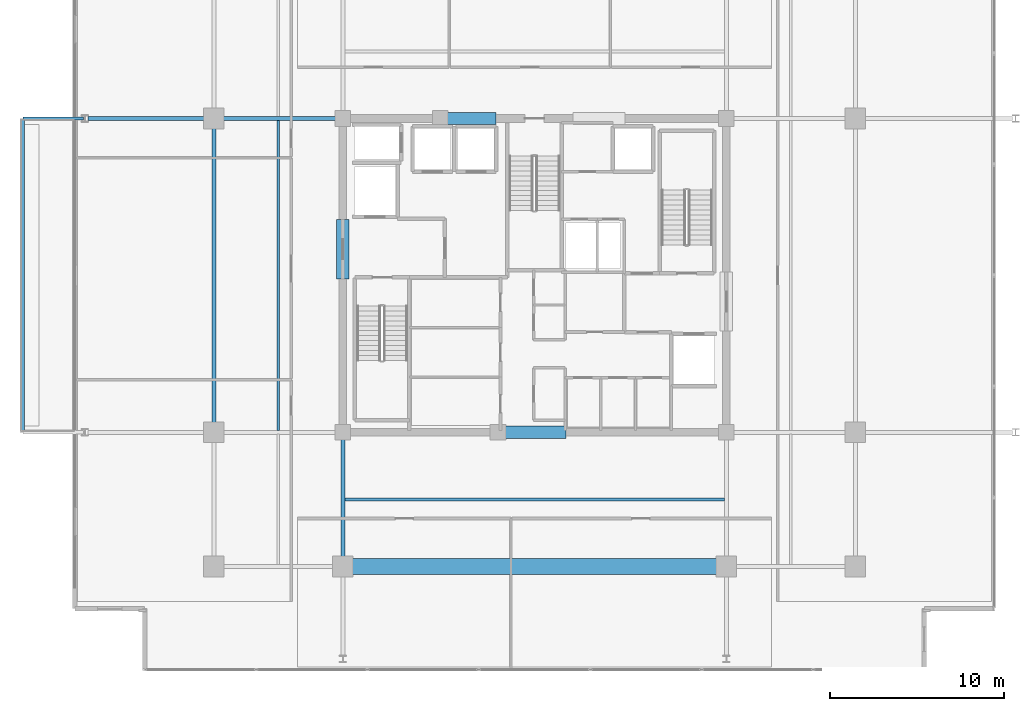
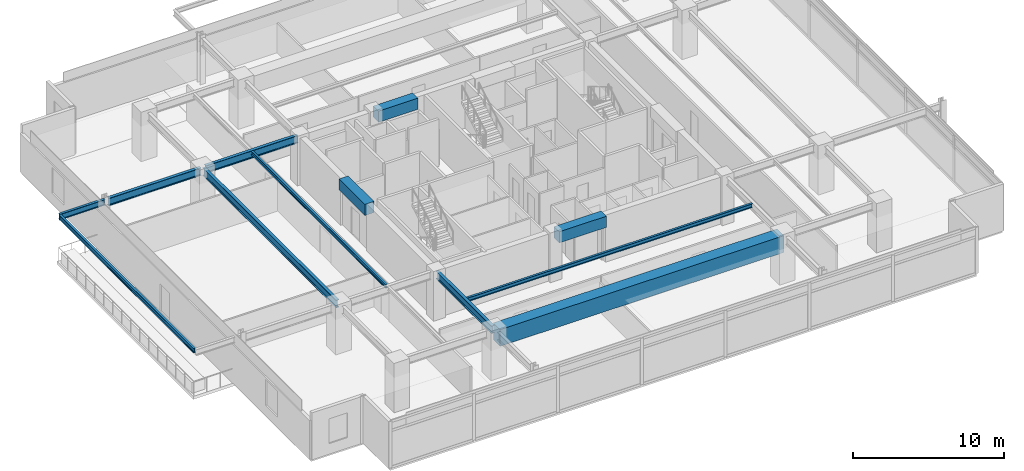
# One storey, part 5 of 21: 12 beams.
"""IFC4 building model written with IfcOpenShell, lengths in metres."""

from ifc_helpers import new_model, si_unit, direction, frame, origin, origin_2d, place, context, subcontext, project, spatial, rectangle, i_section, extrude, material, material_profile, profile_set, type_object, element, save


model = new_model("IFC4")

# Units and contexts
model_context = context("Model", 3, precision=1e-05, world=origin(), true_north=direction((0.0, 1.0)))
body_context = subcontext(model_context, "Body", "Model", "MODEL_VIEW")
ifc_project = project(units=[si_unit("LENGTHUNIT", "METRE"), si_unit("AREAUNIT", "SQUARE_METRE"), si_unit("VOLUMEUNIT", "CUBIC_METRE"), si_unit("PLANEANGLEUNIT", "RADIAN"), si_unit("MASSUNIT", "GRAM", prefix="KILO")], contexts=[model_context])

# Site, building, storey
site_placement = place(None, origin())
site = spatial("IfcSite", under=ifc_project, at=site_placement, CompositionType="ELEMENT")
building_placement = place(site_placement, origin())
building = spatial("IfcBuilding", under=site, at=building_placement, Name="Kovane Verandah Tower", CompositionType="ELEMENT")
storey_placement = place(building_placement, frame((0.0, 0.0, 247.199951171875)))
storey = spatial("IfcBuildingStorey", under=building, at=storey_placement, Name="L57", CompositionType="ELEMENT", Elevation=247.199951171875)

# Beams
ifc_material_1 = material(Name="Concrete C60/75", Category="concrete")
ifc_material_profile_1 = material_profile(ifc_material_1, rectangle(XDim=0.699951171875, YDim=0.89990234375, at=origin_2d()), Name="RCB700x900")
ifc_profile_set_1 = profile_set([ifc_material_profile_1], Name="Concrete C60/75")
beam_type_1 = type_object("IfcBeamType", Name="BM-LINTEL-700x900", PredefinedType="LINTEL", material=ifc_profile_set_1)
beam_1_placement = place(storey_placement, frame((38.199951171875, 18.5, 3.3349609375), z_axis=(1.0, 0.0, 0.0), x_axis=(0.0, 1.0, 0.0)))
element("IfcBeam", 1, at=beam_1_placement, inside=storey, type_object=beam_type_1, Name="L57 Core Coupling Lintel CL-S", PredefinedType="LINTEL", context=body_context, shape_type="SweptSolid", body=[
    extrude(rectangle(XDim=0.699951171875, YDim=0.89990234375, at=origin_2d()), origin(), (0.0, 0.0, 1.0), 3.60009765625),
])
beam_2_placement = place(storey_placement, frame((34.800048828125, 36.5, 3.3349609375), z_axis=(1.0, 0.0, 0.0), x_axis=(0.0, 1.0, 0.0)))
element("IfcBeam", 2, at=beam_2_placement, inside=storey, type_object=beam_type_1, Name="L57 Core Coupling Lintel CL-N1", PredefinedType="LINTEL", context=body_context, shape_type="SweptSolid", body=[
    extrude(rectangle(XDim=0.699951171875, YDim=0.89990234375, at=origin_2d()), origin(), (0.0, 0.0, 1.0), 3.0),
])
beam_3_placement = place(storey_placement, frame((29.0, 27.300048828125, 3.3349609375), z_axis=(0.0, 1.0, 0.0), x_axis=(-1.0, 0.0, 0.0)))
element("IfcBeam", 3, at=beam_3_placement, inside=storey, type_object=beam_type_1, Name="L57 Core Coupling Lintel CL-W", PredefinedType="LINTEL", context=body_context, shape_type="SweptSolid", body=[
    extrude(rectangle(XDim=0.699951171875, YDim=0.89990234375, at=origin_2d()), origin(), (0.0, 0.0, 1.0), 3.39990234375),
])
ifc_material_2 = material(Name="Concrete C80/95", Category="concrete")
ifc_material_profile_2 = material_profile(ifc_material_2, rectangle(XDim=0.89990234375, YDim=1.35009765625, at=origin_2d()), Name="RCB900x1350")
ifc_profile_set_2 = profile_set([ifc_material_profile_2], Name="Concrete C80/95")
beam_type_2 = type_object("IfcBeamType", Name="BM-TR-900x1350", PredefinedType="BEAM", material=ifc_profile_set_2)
beam_4_placement = place(storey_placement, frame((29.179931640625, 10.800048828125, 3.110107421875), z_axis=(1.0, 0.0, 0.0), x_axis=(0.0, 1.0, 0.0)))
element("IfcBeam", 4, at=beam_4_placement, inside=storey, type_object=beam_type_2, Name="L57 Primary Tower Girder G-RS2", PredefinedType="BEAM", context=body_context, shape_type="SweptSolid", body=[
    extrude(rectangle(XDim=0.89990234375, YDim=1.35009765625, at=origin_2d()), origin(), (0.0, 0.0, 1.0), 21.64013671875),
])
ifc_material_3 = material(Name="Steel S355", Category="steel")
ifc_material_profile_3 = material_profile(ifc_material_3, i_section(OverallWidth=0.230224609375, OverallDepth=0.6171875, WebThickness=0.01318359375, FlangeThickness=0.022216796875, FilletRadius=0.0126953125, at=origin_2d()), Name="UB610x229x140")
ifc_profile_set_3 = profile_set([ifc_material_profile_3], Name="Steel S355")
beam_type_3 = type_object("IfcBeamType", Name="BM-UB610x140", PredefinedType="BEAM", material=ifc_profile_set_3)
beam_5_placement = place(storey_placement, frame((21.60009765625, 18.679931640625, 3.4765625), z_axis=(0.0, 1.0, 0.0), x_axis=(-1.0, 0.0, 0.0)))
element("IfcBeam", 5, at=beam_5_placement, inside=storey, type_object=beam_type_3, Name="L57 Primary Tower Girder G-RW2", PredefinedType="BEAM", context=body_context, shape_type="SweptSolid", body=[
    extrude(i_section(OverallWidth=0.230224609375, OverallDepth=0.6171875, WebThickness=0.01318359375, FlangeThickness=0.022216796875, FilletRadius=0.0126953125, at=origin_2d()), origin(), (0.0, 0.0, 1.0), 17.64013671875),
])
beam_6_placement = place(storey_placement, frame((28.820068359375, 36.5, 3.4765625), z_axis=(-1.0, 0.0, 0.0), x_axis=(0.0, -1.0, 0.0)))
element("IfcBeam", 6, at=beam_6_placement, inside=storey, type_object=beam_type_3, Name="L57 Primary Tower Girder G-W2", PredefinedType="BEAM", context=body_context, shape_type="SweptSolid", body=[
    extrude(i_section(OverallWidth=0.230224609375, OverallDepth=0.6171875, WebThickness=0.01318359375, FlangeThickness=0.022216796875, FilletRadius=0.0126953125, at=origin_2d()), origin(), (0.0, 0.0, 1.0), 7.0400390625),
])
beam_7_placement = place(storey_placement, frame((29.0, 18.320068359375, 3.4765625), z_axis=(0.0, -1.0, 0.0), x_axis=(1.0, 0.0, 0.0)))
element("IfcBeam", 7, at=beam_7_placement, inside=storey, type_object=beam_type_3, Name="L57 Primary Tower Girder G-S1", PredefinedType="BEAM", context=body_context, shape_type="SweptSolid", body=[
    extrude(i_section(OverallWidth=0.230224609375, OverallDepth=0.6171875, WebThickness=0.01318359375, FlangeThickness=0.022216796875, FilletRadius=0.0126953125, at=origin_2d()), origin(), (0.0, 0.0, 1.0), 7.340087890625),
])
beam_8_placement = place(storey_placement, frame((21.419921875, 36.5, 3.451416015625), z_axis=(-1.0, 0.0, 0.0), x_axis=(0.0, -1.0, 0.0)))
element("IfcBeam", 8, at=beam_8_placement, inside=storey, type_object=beam_type_3, Name="L57 Primary Tower Girder G-VW2", PredefinedType="BEAM", context=body_context, shape_type="SweptSolid", body=[
    extrude(i_section(OverallWidth=0.230224609375, OverallDepth=0.6171875, WebThickness=0.01318359375, FlangeThickness=0.022216796875, FilletRadius=0.0126953125, at=origin_2d()), origin(), (0.0, 0.0, 1.0), 7.0400390625),
])
ifc_material_profile_4 = material_profile(ifc_material_3, i_section(OverallWidth=0.1669921875, OverallDepth=0.310302734375, WebThickness=0.0078125, FlangeThickness=0.013671875, FilletRadius=0.0087890625, at=origin_2d()), Name="UB305x165x54")
ifc_profile_set_4 = profile_set([ifc_material_profile_4], Name="Steel S355")
beam_type_4 = type_object("IfcBeamType", Name="JST-UB305x54", PredefinedType="JOIST", material=ifc_profile_set_4)
beam_9_placement = place(storey_placement, frame((29.113037109375, 14.64990234375, 3.6298828125), z_axis=(1.0, 0.0, 0.0), x_axis=(0.0, 1.0, 0.0)))
element("IfcBeam", 9, at=beam_9_placement, inside=storey, type_object=beam_type_4, Name="L57 Secondary Composite Joist J-S1", PredefinedType="JOIST", context=body_context, shape_type="SweptSolid", body=[
    extrude(i_section(OverallWidth=0.1669921875, OverallDepth=0.310302734375, WebThickness=0.0078125, FlangeThickness=0.013671875, FilletRadius=0.0087890625, at=origin_2d()), origin(), (0.0, 0.0, 1.0), 21.77392578125),
])
beam_10_placement = place(storey_placement, frame((25.300048828125, 18.613037109375, 3.6298828125), z_axis=(0.0, 1.0, 0.0), x_axis=(-1.0, 0.0, 0.0)))
element("IfcBeam", 10, at=beam_10_placement, inside=storey, type_object=beam_type_4, Name="L57 Secondary Composite Joist J-W1", PredefinedType="JOIST", context=body_context, shape_type="SweptSolid", body=[
    extrude(i_section(OverallWidth=0.1669921875, OverallDepth=0.310302734375, WebThickness=0.0078125, FlangeThickness=0.013671875, FilletRadius=0.0087890625, at=origin_2d()), origin(), (0.0, 0.0, 1.0), 17.77392578125),
])
ifc_material_profile_5 = material_profile(ifc_material_3, i_section(OverallWidth=0.19287109375, OverallDepth=0.46728515625, WebThickness=0.011474609375, FlangeThickness=0.01953125, FilletRadius=0.01025390625, at=origin_2d()), Name="UB457x191x98")
ifc_profile_set_5 = profile_set([ifc_material_profile_5], Name="Steel S355")
beam_type_5 = type_object("IfcBeamType", Name="JST-UB457x98", PredefinedType="JOIST", material=ifc_profile_set_5)
beam_11_placement = place(storey_placement, frame((14.1201171875, 36.5, 3.5263671875), z_axis=(-1.0, 0.0, 0.0), x_axis=(0.0, -1.0, 0.0)))
element("IfcBeam", 11, at=beam_11_placement, inside=storey, type_object=beam_type_5, Name="L57 West Planter Girder 2", PredefinedType="JOIST", context=body_context, shape_type="SweptSolid", body=[
    extrude(i_section(OverallWidth=0.19287109375, OverallDepth=0.46728515625, WebThickness=0.011474609375, FlangeThickness=0.01953125, FilletRadius=0.01025390625, at=origin_2d()), origin(), (0.0, 0.0, 1.0), 3.46630859375),
])
ifc_material_profile_6 = material_profile(ifc_material_3, i_section(OverallWidth=0.173095703125, OverallDepth=0.36328125, WebThickness=0.009033203125, FlangeThickness=0.015625, FilletRadius=0.01025390625, at=origin_2d()), Name="UB356x171x67")
ifc_profile_set_6 = profile_set([ifc_material_profile_6], Name="Steel S355")
beam_type_6 = type_object("IfcBeamType", Name="SPD-UB356x67", PredefinedType="USERDEFINED", material=ifc_profile_set_6)
beam_12_placement = place(storey_placement, frame((10.65380859375, 18.594482421875, 3.578369140625), z_axis=(0.0, 1.0, 0.0), x_axis=(-1.0, 0.0, 0.0)))
element("IfcBeam", 12, at=beam_12_placement, inside=storey, type_object=beam_type_6, Name="L57 West Planter Edge Spandrel", ObjectType="SPANDREL", PredefinedType="USERDEFINED", context=body_context, shape_type="SweptSolid", body=[
    extrude(i_section(OverallWidth=0.173095703125, OverallDepth=0.36328125, WebThickness=0.009033203125, FlangeThickness=0.015625, FilletRadius=0.01025390625, at=origin_2d()), origin(), (0.0, 0.0, 1.0), 17.81103515625),
])

save(model, "model.ifc")
